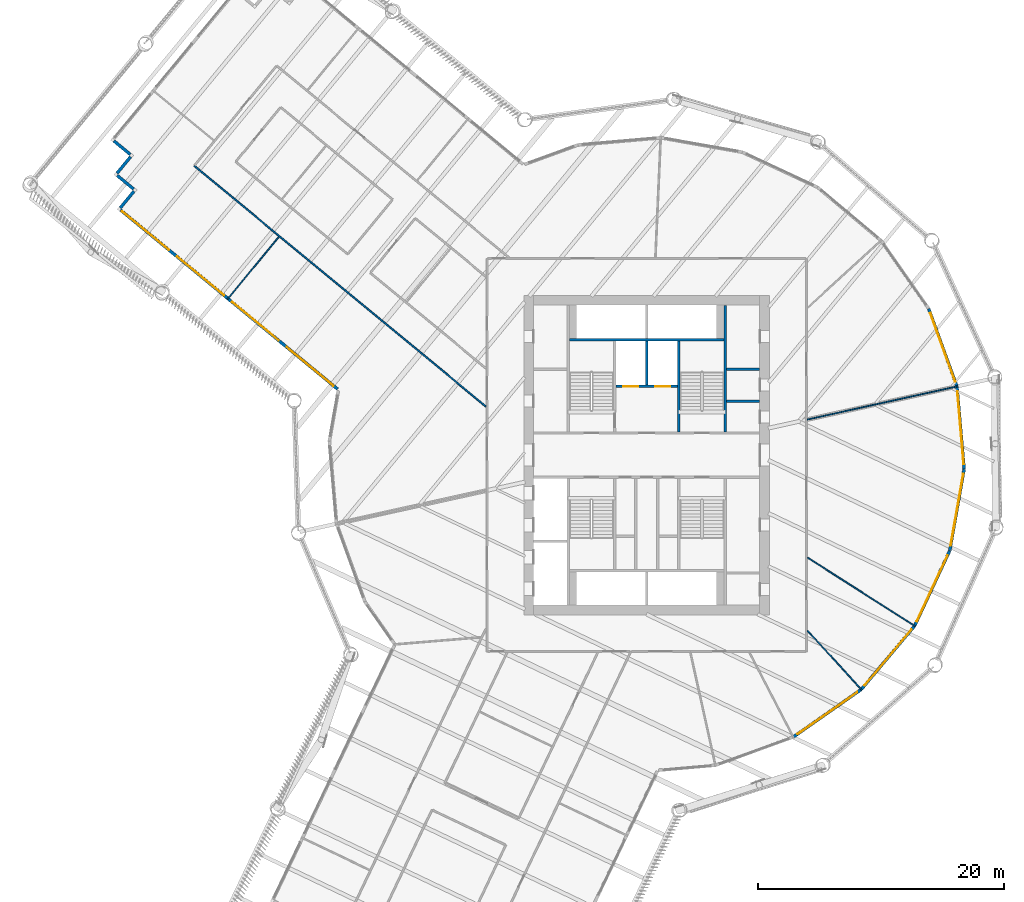
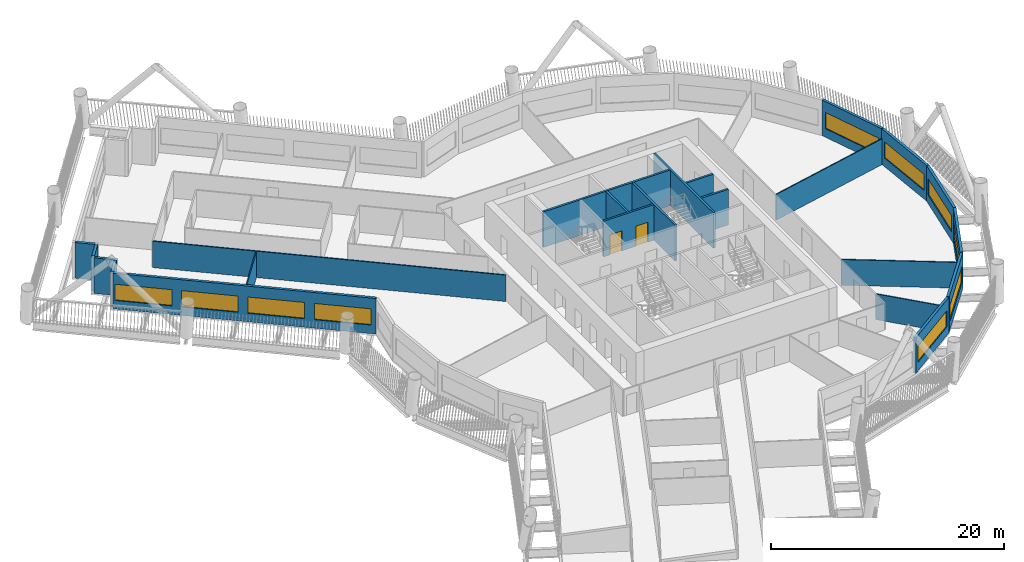
# One storey, part 6 of 22: 23 walls, 10 windows, 2 doors, 12 openings.
"""IFC4 building model written with IfcOpenShell, lengths in metres."""

from ifc_helpers import new_model, si_unit, direction, frame, frame_2d, origin, place, context, subcontext, project, spatial, rectangle, extrude, material, layer, layer_set, type_object, element, fill, save


model = new_model("IFC4")

# Units and contexts
model_context = context("Model", 3, precision=1e-05, world=origin(), true_north=direction((0.0, 1.0)))
body_context = subcontext(model_context, "Body", "Model", "MODEL_VIEW")
ifc_project = project(units=[si_unit("LENGTHUNIT", "METRE"), si_unit("AREAUNIT", "SQUARE_METRE"), si_unit("VOLUMEUNIT", "CUBIC_METRE"), si_unit("PLANEANGLEUNIT", "RADIAN"), si_unit("MASSUNIT", "GRAM", prefix="KILO")], contexts=[model_context])

# Site, building, storey
site_placement = place(None, origin())
site = spatial("IfcSite", under=ifc_project, at=site_placement, CompositionType="ELEMENT")
building_placement = place(site_placement, origin())
building = spatial("IfcBuilding", under=site, at=building_placement, Name="Tarsis Ring Headquarters", CompositionType="ELEMENT")
storey_placement = place(building_placement, frame((0.0, 0.0, 108.39990234375)))
storey = spatial("IfcBuildingStorey", under=building, at=storey_placement, Name="L24", CompositionType="ELEMENT", Elevation=108.39990234375)

# Walls
ifc_material_1 = material(Name="Blockwork", Category="masonry")
ifc_layer_1 = layer(ifc_material_1, 0.199951171875)
ifc_layer_set_1 = layer_set([ifc_layer_1], Name="Core blockwork wall 200")
wall_type_1 = type_object("IfcWallType", Name="Core blockwork wall 200", PredefinedType="PARTITIONING", material=ifc_layer_set_1)
for number, where, z_axis, x_axis, name in (
    (1, (6.5, 4.39990234375, 0.0), (0.0, 0.0, 1.0), (1.0, 0.0, 0.0), "Core partition ED5"),
    (2, (6.5, 7.0, 0.0), (0.0, 0.0, 1.0), (1.0, 0.0, 0.0), "Core partition ED6"),
):
    element("IfcWall", number, at=place(storey_placement, frame(where, z_axis=z_axis, x_axis=x_axis)), inside=storey, type_object=wall_type_1, Name=name, PredefinedType="PARTITIONING", context=body_context, shape_type="SweptSolid", body=[
        extrude(rectangle(XDim=2.699951171875, YDim=0.199951171875, at=frame_2d((1.35009765625, 0.0))), origin(), (0.0, 0.0, 1.0), 3.739990234375),
    ])
ifc_material_2 = material(Name="Gypsum board on steel studs", Category="steel")
ifc_layer_2 = layer(ifc_material_2, 0.10009765625)
ifc_layer_set_2 = layer_set([ifc_layer_2], Name="FL partition 100 unrated")
wall_type_2 = type_object("IfcWallType", Name="FL partition 100 unrated", PredefinedType="PARTITIONING", material=ifc_layer_set_2)
wall_1_placement = place(storey_placement, frame((13.068359375, 2.892333984375, 0.0), z_axis=(0.0, 0.0, 1.0), x_axis=(0.976368244752, 0.216113513323, 0.0)))
element("IfcWall", 3, at=wall_1_placement, inside=storey, type_object=wall_type_2, Name="Partition PW3", PredefinedType="PARTITIONING", context=body_context, shape_type="SweptSolid", body=[
    extrude(rectangle(XDim=12.563232421875, YDim=0.10009765625, at=frame_2d((6.28173828125, 0.0))), origin(), (0.0, 0.0, 1.0), 2.7001953125),
])
wall_2_placement = place(storey_placement, frame((13.084228515625, -8.342041015625, 0.0), z_axis=(0.0, 0.0, 1.0), x_axis=(0.843205315072, -0.537591663472, 0.0)))
element("IfcWall", 4, at=wall_2_placement, inside=storey, type_object=wall_type_2, Name="Partition PW3", PredefinedType="PARTITIONING", context=body_context, shape_type="SweptSolid", body=[
    extrude(rectangle(XDim=10.4306640625, YDim=0.10009765625, at=frame_2d((5.21533203125, 0.0))), origin(), (0.0, 0.0, 1.0), 2.7001953125),
])
wall_3_placement = place(storey_placement, frame((13.087890625, -14.292724609375, 0.0), z_axis=(0.0, 0.0, 1.0), x_axis=(0.675310458527, -0.737533582018, 0.0)))
element("IfcWall", 5, at=wall_3_placement, inside=storey, type_object=wall_type_2, Name="Partition PW3", PredefinedType="PARTITIONING", context=body_context, shape_type="SweptSolid", body=[
    extrude(rectangle(XDim=6.568115234375, YDim=0.10009765625, at=frame_2d((3.2841796875, 0.0))), origin(), (0.0, 0.0, 1.0), 2.7001953125),
])
wall_4_placement = place(storey_placement, frame((-34.148193359375, 12.678466796875, 0.0), z_axis=(0.0, 0.0, 1.0), x_axis=(0.636326826263, 0.771419581147, 0.0)))
element("IfcWall", 6, at=wall_4_placement, inside=storey, type_object=wall_type_2, Name="Partition PW3", PredefinedType="PARTITIONING", context=body_context, shape_type="SweptSolid", body=[
    extrude(rectangle(XDim=6.599853515625, YDim=0.10009765625, at=frame_2d((3.2998046875, 0.0))), origin(), (0.0, 0.0, 1.0), 2.7001953125),
])
ifc_layer_3 = layer(ifc_material_2, 0.125)
ifc_layer_set_3 = layer_set([ifc_layer_3], Name="FL partition 125 EI 60 H2770")
wall_type_3 = type_object("IfcWallType", Name="FL partition 125 EI 60 H2770", PredefinedType="PARTITIONING", material=ifc_layer_set_3)
wall_5_placement = place(storey_placement, frame((-36.846435546875, 23.55078125, 0.0), z_axis=(0.0, 0.0, 1.0), x_axis=(0.771405191813, -0.636344270064, 0.0)))
element("IfcWall", 7, at=wall_5_placement, inside=storey, type_object=wall_type_3, Name="Partition PW1", PredefinedType="PARTITIONING", context=body_context, shape_type="SweptSolid", body=[
    extrude(rectangle(XDim=30.79296875, YDim=0.125, at=frame_2d((15.396484375, 0.0))), origin(), (0.0, 0.0, 1.0), 2.77001953125),
])

# Wall, openings, windows
ifc_material_3 = material(Name="Terracotta clad insulated panel wall", Category="masonry")
ifc_layer_4 = layer(ifc_material_3, 0.25)
ifc_layer_set_4 = layer_set([ifc_layer_4], Name="Facade wall terracotta panel 250")
wall_type_4 = type_object("IfcWallType", Name="Facade wall terracotta panel 250", PredefinedType="STANDARD", material=ifc_layer_set_4)
wall_6_placement = place(storey_placement, frame((-42.848388671875, 19.952392578125, 0.0), z_axis=(0.0, 0.0, 1.0), x_axis=(0.771407000901, -0.636342077, 0.0)))
wall_6 = element("IfcWall", 8, at=wall_6_placement, inside=storey, type_object=wall_type_4, Name="External wall L24-01", PredefinedType="STANDARD", context=body_context, shape_type="SweptSolid", body=[
    extrude(rectangle(XDim=22.921875, YDim=0.25, at=frame_2d((11.4609375, 0.0))), origin(), (0.0, 0.0, 1.0), 3.739990234375),
])
opening_1_placement = place(wall_6_placement, frame((0.17138671875, 0.0, 0.89990234375)))
opening_1 = element("IfcOpeningElement", 9, at=opening_1_placement, cuts=wall_6, Name="Opening WN05", PredefinedType="OPENING", context=body_context, shape_type="SweptSolid", body=[
    extrude(rectangle(XDim=4.949951171875, YDim=1.699951171875, at=frame_2d((2.47509765625, 0.85009765625))), frame((0.0, 0.135009765625, 0.0), z_axis=(0.0, -1.0, 0.0), x_axis=(1.0, 0.0, 0.0)), (0.0, 0.0, 1.0), 0.27001953125),
])
opening_2_placement = place(wall_6_placement, frame((5.964599609375, 0.0, 0.89990234375)))
opening_2 = element("IfcOpeningElement", 10, at=opening_2_placement, cuts=wall_6, Name="Opening WN05", PredefinedType="OPENING", context=body_context, shape_type="SweptSolid", body=[
    extrude(rectangle(XDim=4.949951171875, YDim=1.699951171875, at=frame_2d((2.47509765625, 0.85009765625))), frame((0.0, 0.135009765625, 0.0), z_axis=(0.0, -1.0, 0.0), x_axis=(1.0, 0.0, 0.0)), (0.0, 0.0, 1.0), 0.27001953125),
])
opening_3_placement = place(wall_6_placement, frame((11.757568359375, 0.0, 0.89990234375)))
opening_3 = element("IfcOpeningElement", 11, at=opening_3_placement, cuts=wall_6, Name="Opening WN05", PredefinedType="OPENING", context=body_context, shape_type="SweptSolid", body=[
    extrude(rectangle(XDim=4.949951171875, YDim=1.699951171875, at=frame_2d((2.47509765625, 0.85009765625))), frame((0.0, 0.135009765625, 0.0), z_axis=(0.0, -1.0, 0.0), x_axis=(1.0, 0.0, 0.0)), (0.0, 0.0, 1.0), 0.27001953125),
])
opening_4_placement = place(wall_6_placement, frame((17.550537109375, 0.0, 0.89990234375)))
opening_4 = element("IfcOpeningElement", 12, at=opening_4_placement, cuts=wall_6, Name="Opening WN05", PredefinedType="OPENING", context=body_context, shape_type="SweptSolid", body=[
    extrude(rectangle(XDim=4.949951171875, YDim=1.699951171875, at=frame_2d((2.47509765625, 0.85009765625))), frame((0.0, 0.135009765625, 0.0), z_axis=(0.0, -1.0, 0.0), x_axis=(1.0, 0.0, 0.0)), (0.0, 0.0, 1.0), 0.27001953125),
])
ifc_material_4 = material(Name="Aluminium framed double glazing", Category="aluminium")
window_type_1 = type_object("IfcWindowType", Name="Facade window 4950 x 1700", PartitioningType="SINGLE_PANEL", PredefinedType="WINDOW", material=ifc_material_4)
window_1_placement = place(opening_1_placement, origin())
window_1 = element("IfcWindow", 13, at=window_1_placement, inside=storey, type_object=window_type_1, Name="Window L24-01.1", OverallHeight=1.699951171875, OverallWidth=4.949951171875, PartitioningType="SINGLE_PANEL", PredefinedType="WINDOW", context=body_context, shape_type="SweptSolid", body=[
    extrude(rectangle(XDim=4.949951171875, YDim=1.699951171875, at=frame_2d((2.47509765625, 0.85009765625))), frame((0.0, 0.030029296875, 0.0), z_axis=(0.0, -1.0, 0.0), x_axis=(1.0, 0.0, 0.0)), (0.0, 0.0, 1.0), 0.06005859375),
])
fill(opening_1, window_1)
window_2_placement = place(opening_2_placement, origin())
window_2 = element("IfcWindow", 14, at=window_2_placement, inside=storey, type_object=window_type_1, Name="Window L24-01.2", OverallHeight=1.699951171875, OverallWidth=4.949951171875, PartitioningType="SINGLE_PANEL", PredefinedType="WINDOW", context=body_context, shape_type="SweptSolid", body=[
    extrude(rectangle(XDim=4.949951171875, YDim=1.699951171875, at=frame_2d((2.47509765625, 0.85009765625))), frame((0.0, 0.030029296875, 0.0), z_axis=(0.0, -1.0, 0.0), x_axis=(1.0, 0.0, 0.0)), (0.0, 0.0, 1.0), 0.06005859375),
])
fill(opening_2, window_2)
window_3_placement = place(opening_3_placement, origin())
window_3 = element("IfcWindow", 15, at=window_3_placement, inside=storey, type_object=window_type_1, Name="Window L24-01.3", OverallHeight=1.699951171875, OverallWidth=4.949951171875, PartitioningType="SINGLE_PANEL", PredefinedType="WINDOW", context=body_context, shape_type="SweptSolid", body=[
    extrude(rectangle(XDim=4.949951171875, YDim=1.699951171875, at=frame_2d((2.47509765625, 0.85009765625))), frame((0.0, 0.030029296875, 0.0), z_axis=(0.0, -1.0, 0.0), x_axis=(1.0, 0.0, 0.0)), (0.0, 0.0, 1.0), 0.06005859375),
])
fill(opening_3, window_3)
window_4_placement = place(opening_4_placement, origin())
window_4 = element("IfcWindow", 16, at=window_4_placement, inside=storey, type_object=window_type_1, Name="Window L24-01.4", OverallHeight=1.699951171875, OverallWidth=4.949951171875, PartitioningType="SINGLE_PANEL", PredefinedType="WINDOW", context=body_context, shape_type="SweptSolid", body=[
    extrude(rectangle(XDim=4.949951171875, YDim=1.699951171875, at=frame_2d((2.47509765625, 0.85009765625))), frame((0.0, 0.030029296875, 0.0), z_axis=(0.0, -1.0, 0.0), x_axis=(1.0, 0.0, 0.0)), (0.0, 0.0, 1.0), 0.06005859375),
])
fill(opening_4, window_4)

# Wall, opening, window
wall_7_placement = place(storey_placement, frame((11.95263671875, -22.945068359375, 0.0), z_axis=(0.0, 0.0, 1.0), x_axis=(0.819361587743, 0.573277060881, 0.0)))
wall_7 = element("IfcWall", 17, at=wall_7_placement, inside=storey, type_object=wall_type_4, Name="External wall L24-19", PredefinedType="STANDARD", context=body_context, shape_type="SweptSolid", body=[
    extrude(rectangle(XDim=6.721435546875, YDim=0.25, at=frame_2d((3.36083984375, 0.0))), origin(), (0.0, 0.0, 1.0), 3.739990234375),
])
opening_5_placement = place(wall_7_placement, frame((0.3857421875, 0.0, 0.89990234375)))
opening_5 = element("IfcOpeningElement", 18, at=opening_5_placement, cuts=wall_7, Name="Opening WN07", PredefinedType="OPENING", context=body_context, shape_type="SweptSolid", body=[
    extrude(rectangle(XDim=5.949951171875, YDim=1.699951171875, at=frame_2d((2.97509765625, 0.85009765625))), frame((0.0, 0.135009765625, 0.0), z_axis=(0.0, -1.0, 0.0), x_axis=(1.0, 0.0, 0.0)), (0.0, 0.0, 1.0), 0.27001953125),
])
window_type_2 = type_object("IfcWindowType", Name="Facade window 5950 x 1700", PartitioningType="SINGLE_PANEL", PredefinedType="WINDOW", material=ifc_material_4)
window_5_placement = place(opening_5_placement, origin())
window_5 = element("IfcWindow", 19, at=window_5_placement, inside=storey, type_object=window_type_2, Name="Window L24-19.1", OverallHeight=1.699951171875, OverallWidth=5.949951171875, PartitioningType="SINGLE_PANEL", PredefinedType="WINDOW", context=body_context, shape_type="SweptSolid", body=[
    extrude(rectangle(XDim=5.949951171875, YDim=1.699951171875, at=frame_2d((2.97509765625, 0.85009765625))), frame((0.0, 0.030029296875, 0.0), z_axis=(0.0, -1.0, 0.0), x_axis=(1.0, 0.0, 0.0)), (0.0, 0.0, 1.0), 0.06005859375),
])
fill(opening_5, window_5)

wall_8_placement = place(storey_placement, frame((17.484130859375, -19.06982421875, 0.0), z_axis=(0.0, 0.0, 1.0), x_axis=(0.643052374048, 0.765822201448, 0.0)))
wall_8 = element("IfcWall", 20, at=wall_8_placement, inside=storey, type_object=wall_type_4, Name="External wall L24-20", PredefinedType="STANDARD", context=body_context, shape_type="SweptSolid", body=[
    extrude(rectangle(XDim=6.721435546875, YDim=0.25, at=frame_2d((3.36083984375, 0.0))), origin(), (0.0, 0.0, 1.0), 3.739990234375),
])
opening_6_placement = place(wall_8_placement, frame((0.3857421875, 0.0, 0.89990234375)))
opening_6 = element("IfcOpeningElement", 21, at=opening_6_placement, cuts=wall_8, Name="Opening WN07", PredefinedType="OPENING", context=body_context, shape_type="SweptSolid", body=[
    extrude(rectangle(XDim=5.949951171875, YDim=1.699951171875, at=frame_2d((2.97509765625, 0.85009765625))), frame((0.0, 0.135009765625, 0.0), z_axis=(0.0, -1.0, 0.0), x_axis=(1.0, 0.0, 0.0)), (0.0, 0.0, 1.0), 0.27001953125),
])
window_6_placement = place(opening_6_placement, origin())
window_6 = element("IfcWindow", 22, at=window_6_placement, inside=storey, type_object=window_type_2, Name="Window L24-20.1", OverallHeight=1.699951171875, OverallWidth=5.949951171875, PartitioningType="SINGLE_PANEL", PredefinedType="WINDOW", context=body_context, shape_type="SweptSolid", body=[
    extrude(rectangle(XDim=5.949951171875, YDim=1.699951171875, at=frame_2d((2.97509765625, 0.85009765625))), frame((0.0, 0.030029296875, 0.0), z_axis=(0.0, -1.0, 0.0), x_axis=(1.0, 0.0, 0.0)), (0.0, 0.0, 1.0), 0.06005859375),
])
fill(opening_6, window_6)

wall_9_placement = place(storey_placement, frame((21.823974609375, -13.894775390625, 0.0), z_axis=(0.0, 0.0, 1.0), x_axis=(0.42293318706, 0.906160868325, 0.0)))
wall_9 = element("IfcWall", 23, at=wall_9_placement, inside=storey, type_object=wall_type_4, Name="External wall L24-21", PredefinedType="STANDARD", context=body_context, shape_type="SweptSolid", body=[
    extrude(rectangle(XDim=6.7216796875, YDim=0.25, at=frame_2d((3.36083984375, 0.0))), origin(), (0.0, 0.0, 1.0), 3.739990234375),
])
opening_7_placement = place(wall_9_placement, frame((0.3857421875, 0.0, 0.89990234375)))
opening_7 = element("IfcOpeningElement", 24, at=opening_7_placement, cuts=wall_9, Name="Opening WN07", PredefinedType="OPENING", context=body_context, shape_type="SweptSolid", body=[
    extrude(rectangle(XDim=5.949951171875, YDim=1.699951171875, at=frame_2d((2.97509765625, 0.85009765625))), frame((0.0, 0.135009765625, 0.0), z_axis=(0.0, -1.0, 0.0), x_axis=(1.0, 0.0, 0.0)), (0.0, 0.0, 1.0), 0.27001953125),
])
window_7_placement = place(opening_7_placement, origin())
window_7 = element("IfcWindow", 25, at=window_7_placement, inside=storey, type_object=window_type_2, Name="Window L24-21.1", OverallHeight=1.699951171875, OverallWidth=5.949951171875, PartitioningType="SINGLE_PANEL", PredefinedType="WINDOW", context=body_context, shape_type="SweptSolid", body=[
    extrude(rectangle(XDim=5.949951171875, YDim=1.699951171875, at=frame_2d((2.97509765625, 0.85009765625))), frame((0.0, 0.030029296875, 0.0), z_axis=(0.0, -1.0, 0.0), x_axis=(1.0, 0.0, 0.0)), (0.0, 0.0, 1.0), 0.06005859375),
])
fill(opening_7, window_7)

wall_10_placement = place(storey_placement, frame((24.676513671875, -7.77294921875, 0.0), z_axis=(0.0, 0.0, 1.0), x_axis=(0.173980101637, 0.984749168182, 0.0)))
wall_10 = element("IfcWall", 26, at=wall_10_placement, inside=storey, type_object=wall_type_4, Name="External wall L24-22", PredefinedType="STANDARD", context=body_context, shape_type="SweptSolid", body=[
    extrude(rectangle(XDim=6.7216796875, YDim=0.25, at=frame_2d((3.36083984375, 0.0))), origin(), (0.0, 0.0, 1.0), 3.739990234375),
])
opening_8_placement = place(wall_10_placement, frame((0.3857421875, 0.0, 0.89990234375)))
opening_8 = element("IfcOpeningElement", 27, at=opening_8_placement, cuts=wall_10, Name="Opening WN07", PredefinedType="OPENING", context=body_context, shape_type="SweptSolid", body=[
    extrude(rectangle(XDim=5.949951171875, YDim=1.699951171875, at=frame_2d((2.97509765625, 0.85009765625))), frame((0.0, 0.135009765625, 0.0), z_axis=(0.0, -1.0, 0.0), x_axis=(1.0, 0.0, 0.0)), (0.0, 0.0, 1.0), 0.27001953125),
])
window_8_placement = place(opening_8_placement, origin())
window_8 = element("IfcWindow", 28, at=window_8_placement, inside=storey, type_object=window_type_2, Name="Window L24-22.1", OverallHeight=1.699951171875, OverallWidth=5.949951171875, PartitioningType="SINGLE_PANEL", PredefinedType="WINDOW", context=body_context, shape_type="SweptSolid", body=[
    extrude(rectangle(XDim=5.949951171875, YDim=1.699951171875, at=frame_2d((2.97509765625, 0.85009765625))), frame((0.0, 0.030029296875, 0.0), z_axis=(0.0, -1.0, 0.0), x_axis=(1.0, 0.0, 0.0)), (0.0, 0.0, 1.0), 0.06005859375),
])
fill(opening_8, window_8)

wall_11_placement = place(storey_placement, frame((25.847412109375, -1.121337890625, 0.0), z_axis=(0.0, 0.0, 1.0), x_axis=(-0.086808292028, 0.996225035037, 0.0)))
wall_11 = element("IfcWall", 29, at=wall_11_placement, inside=storey, type_object=wall_type_4, Name="External wall L24-23", PredefinedType="STANDARD", context=body_context, shape_type="SweptSolid", body=[
    extrude(rectangle(XDim=6.7216796875, YDim=0.25, at=frame_2d((3.36083984375, 0.0))), origin(), (0.0, 0.0, 1.0), 3.739990234375),
])
opening_9_placement = place(wall_11_placement, frame((0.3857421875, 0.0, 0.89990234375)))
opening_9 = element("IfcOpeningElement", 30, at=opening_9_placement, cuts=wall_11, Name="Opening WN07", PredefinedType="OPENING", context=body_context, shape_type="SweptSolid", body=[
    extrude(rectangle(XDim=5.949951171875, YDim=1.699951171875, at=frame_2d((2.97509765625, 0.85009765625))), frame((0.0, 0.135009765625, 0.0), z_axis=(0.0, -1.0, 0.0), x_axis=(1.0, 0.0, 0.0)), (0.0, 0.0, 1.0), 0.27001953125),
])
window_9_placement = place(opening_9_placement, origin())
window_9 = element("IfcWindow", 31, at=window_9_placement, inside=storey, type_object=window_type_2, Name="Window L24-23.1", OverallHeight=1.699951171875, OverallWidth=5.949951171875, PartitioningType="SINGLE_PANEL", PredefinedType="WINDOW", context=body_context, shape_type="SweptSolid", body=[
    extrude(rectangle(XDim=5.949951171875, YDim=1.699951171875, at=frame_2d((2.97509765625, 0.85009765625))), frame((0.0, 0.030029296875, 0.0), z_axis=(0.0, -1.0, 0.0), x_axis=(1.0, 0.0, 0.0)), (0.0, 0.0, 1.0), 0.06005859375),
])
fill(opening_9, window_9)

wall_12_placement = place(storey_placement, frame((25.2568359375, 5.606689453125, 0.0), z_axis=(0.0, 0.0, 1.0), x_axis=(-0.341675986817, 0.939817812149, 0.0)))
wall_12 = element("IfcWall", 32, at=wall_12_placement, inside=storey, type_object=wall_type_4, Name="External wall L24-24", PredefinedType="STANDARD", context=body_context, shape_type="SweptSolid", body=[
    extrude(rectangle(XDim=6.7216796875, YDim=0.25, at=frame_2d((3.36083984375, 0.0))), origin(), (0.0, 0.0, 1.0), 3.739990234375),
])
opening_10_placement = place(wall_12_placement, frame((0.3857421875, 0.0, 0.89990234375)))
opening_10 = element("IfcOpeningElement", 33, at=opening_10_placement, cuts=wall_12, Name="Opening WN07", PredefinedType="OPENING", context=body_context, shape_type="SweptSolid", body=[
    extrude(rectangle(XDim=5.949951171875, YDim=1.699951171875, at=frame_2d((2.97509765625, 0.85009765625))), frame((0.0, 0.135009765625, 0.0), z_axis=(0.0, -1.0, 0.0), x_axis=(1.0, 0.0, 0.0)), (0.0, 0.0, 1.0), 0.27001953125),
])
window_10_placement = place(opening_10_placement, origin())
window_10 = element("IfcWindow", 34, at=window_10_placement, inside=storey, type_object=window_type_2, Name="Window L24-24.1", OverallHeight=1.699951171875, OverallWidth=5.949951171875, PartitioningType="SINGLE_PANEL", PredefinedType="WINDOW", context=body_context, shape_type="SweptSolid", body=[
    extrude(rectangle(XDim=5.949951171875, YDim=1.699951171875, at=frame_2d((2.97509765625, 0.85009765625))), frame((0.0, 0.030029296875, 0.0), z_axis=(0.0, -1.0, 0.0), x_axis=(1.0, 0.0, 0.0)), (0.0, 0.0, 1.0), 0.06005859375),
])
fill(opening_10, window_10)

# Walls
wall_13_placement = place(storey_placement, frame((-43.388427734375, 25.58349609375, 0.0), z_axis=(0.0, 0.0, 1.0), x_axis=(0.771402385336, -0.636347672187, 0.0)))
element("IfcWall", 35, at=wall_13_placement, inside=storey, type_object=wall_type_4, Name="External wall L24-37", PredefinedType="STANDARD", context=body_context, shape_type="SweptSolid", body=[
    extrude(rectangle(XDim=1.749755859375, YDim=0.25, at=frame_2d((0.875, 0.0))), origin(), (0.0, 0.0, 1.0), 3.739990234375),
])
for number, where, z_axis, x_axis, name in (
    (36, (-42.021728515625, 24.2939453125, 0.0), (0.0, 0.0, 1.0), (-0.636279189784, -0.771458872946, 0.0), "External wall L24-38"),
    (37, (-43.118408203125, 22.76806640625, 0.0), (0.0, 0.0, 1.0), (0.771333899685, -0.636430683733, 0.0), "External wall L24-39"),
):
    element("IfcWall", number, at=place(storey_placement, frame(where, z_axis=z_axis, x_axis=x_axis)), inside=storey, type_object=wall_type_4, Name=name, PredefinedType="STANDARD", context=body_context, shape_type="SweptSolid", body=[
        extrude(rectangle(XDim=1.75, YDim=0.25, at=frame_2d((0.875, 0.0))), origin(), (0.0, 0.0, 1.0), 3.739990234375),
    ])
wall_14_placement = place(storey_placement, frame((-41.75146484375, 21.478515625, 0.0), z_axis=(0.0, 0.0, 1.0), x_axis=(-0.636362204556, -0.771390397018, 0.0)))
element("IfcWall", 38, at=wall_14_placement, inside=storey, type_object=wall_type_4, Name="External wall L24-40", PredefinedType="STANDARD", context=body_context, shape_type="SweptSolid", body=[
    extrude(rectangle(XDim=1.750244140625, YDim=0.25, at=frame_2d((0.875, 0.0))), origin(), (0.0, 0.0, 1.0), 3.739990234375),
])
ifc_material_5 = material(Name="Concrete C32/40", Category="concrete")
ifc_layer_5 = layer(ifc_material_5, 0.199951171875)
ifc_layer_set_5 = layer_set([ifc_layer_5], Name="Shaft wall 200 C32/40")
wall_type_5 = type_object("IfcWallType", Name="Shaft wall 200 C32/40", PredefinedType="SOLIDWALL", material=ifc_layer_set_5)
wall_15_placement = place(storey_placement, frame((6.39990234375, 1.89990234375, 0.0), z_axis=(0.0, 0.0, 1.0), x_axis=(0.0, 1.0, 0.0)))
element("IfcWall", 39, at=wall_15_placement, inside=storey, type_object=wall_type_5, Name="Core shaft wall EB2", PredefinedType="SOLIDWALL", context=body_context, shape_type="SweptSolid", body=[
    extrude(rectangle(XDim=10.300048828125, YDim=0.199951171875, at=frame_2d((5.14990234375, 0.0))), origin(), (0.0, 0.0, 1.0), 3.739990234375),
])
wall_16_placement = place(storey_placement, frame((-6.300048828125, 9.39990234375, 0.0), z_axis=(0.0, 0.0, 1.0), x_axis=(1.0, 0.0, 0.0)))
element("IfcWall", 40, at=wall_16_placement, inside=storey, type_object=wall_type_5, Name="Core shaft wall NB", PredefinedType="SOLIDWALL", context=body_context, shape_type="SweptSolid", body=[
    extrude(rectangle(XDim=12.60009765625, YDim=0.199951171875, at=frame_2d((6.300048828125, 0.0))), origin(), (0.0, 0.0, 1.0), 3.739990234375),
])
wall_17_placement = place(storey_placement, frame((2.60009765625, 1.89990234375, 0.0), z_axis=(0.0, 0.0, 1.0), x_axis=(0.0, 1.0, 0.0)))
element("IfcWall", 41, at=wall_17_placement, inside=storey, type_object=wall_type_5, Name="Core shaft wall SW2", PredefinedType="SOLIDWALL", context=body_context, shape_type="SweptSolid", body=[
    extrude(rectangle(XDim=7.400146484375, YDim=0.199951171875, at=frame_2d((3.7001953125, 0.0))), origin(), (0.0, 0.0, 1.0), 3.739990234375),
])

# Wall, openings, doors
wall_18_placement = place(storey_placement, frame((-2.5, 5.60009765625, 0.0), z_axis=(0.0, 0.0, 1.0), x_axis=(1.0, 0.0, 0.0)))
wall_18 = element("IfcWall", 42, at=wall_18_placement, inside=storey, type_object=wall_type_5, Name="Core shaft wall FFN", PredefinedType="SOLIDWALL", context=body_context, shape_type="SweptSolid", body=[
    extrude(rectangle(XDim=5.0, YDim=0.199951171875, at=frame_2d((2.5, 0.0))), origin(), (0.0, 0.0, 1.0), 3.739990234375),
])
opening_11_placement = place(wall_18_placement, frame((0.60009765625, 0.0, 0.0)))
opening_11 = element("IfcOpeningElement", 43, at=opening_11_placement, cuts=wall_18, Name="Opening LDF-1", PredefinedType="OPENING", context=body_context, shape_type="SweptSolid", body=[
    extrude(rectangle(XDim=1.199951171875, YDim=2.10009765625, at=frame_2d((0.60009765625, 1.050048828125))), frame((0.0, 0.10986328125, 0.0), z_axis=(0.0, -1.0, 0.0), x_axis=(1.0, 0.0, 0.0)), (0.0, 0.0, 1.0), 0.219970703125),
])
opening_12_placement = place(wall_18_placement, frame((3.199951171875, 0.0, 0.0)))
opening_12 = element("IfcOpeningElement", 44, at=opening_12_placement, cuts=wall_18, Name="Opening LDF-2", PredefinedType="OPENING", context=body_context, shape_type="SweptSolid", body=[
    extrude(rectangle(XDim=1.199951171875, YDim=2.10009765625, at=frame_2d((0.60009765625, 1.050048828125))), frame((0.0, 0.10986328125, 0.0), z_axis=(0.0, -1.0, 0.0), x_axis=(1.0, 0.0, 0.0)), (0.0, 0.0, 1.0), 0.219970703125),
])
ifc_material_6 = material(Name="Steel S355", Category="steel")
door_type = type_object("IfcDoorType", Name="Firefighting landing door 1200x2100", OperationType="SLIDING_TO_LEFT", PredefinedType="DOOR", material=ifc_material_6)
door_1_placement = place(opening_11_placement, origin())
door_1 = element("IfcDoor", 45, at=door_1_placement, inside=storey, type_object=door_type, Name="Landing door FF1 L24", OperationType="SLIDING_TO_LEFT", OverallHeight=2.10009765625, OverallWidth=1.199951171875, PredefinedType="DOOR", context=body_context, shape_type="SweptSolid", body=[
    extrude(rectangle(XDim=1.199951171875, YDim=2.10009765625, at=frame_2d((0.60009765625, 1.050048828125))), frame((0.0, 0.02490234375, 0.0), z_axis=(0.0, -1.0, 0.0), x_axis=(1.0, 0.0, 0.0)), (0.0, 0.0, 1.0), 0.050048828125),
])
fill(opening_11, door_1)
door_2_placement = place(opening_12_placement, origin())
door_2 = element("IfcDoor", 46, at=door_2_placement, inside=storey, type_object=door_type, Name="Landing door FF2 L24", OperationType="SLIDING_TO_LEFT", OverallHeight=2.10009765625, OverallWidth=1.199951171875, PredefinedType="DOOR", context=body_context, shape_type="SweptSolid", body=[
    extrude(rectangle(XDim=1.199951171875, YDim=2.10009765625, at=frame_2d((0.60009765625, 1.050048828125))), frame((0.0, 0.02490234375, 0.0), z_axis=(0.0, -1.0, 0.0), x_axis=(1.0, 0.0, 0.0)), (0.0, 0.0, 1.0), 0.050048828125),
])
fill(opening_12, door_2)

# Wall
wall_19_placement = place(storey_placement, frame((0.0, 5.699951171875, 0.0), z_axis=(0.0, 0.0, 1.0), x_axis=(0.0, 1.0, 0.0)))
element("IfcWall", 47, at=wall_19_placement, inside=storey, type_object=wall_type_5, Name="Core shaft wall FFD", PredefinedType="SOLIDWALL", context=body_context, shape_type="SweptSolid", body=[
    extrude(rectangle(XDim=3.60009765625, YDim=0.199951171875, at=frame_2d((1.800048828125, 0.0))), origin(), (0.0, 0.0, 1.0), 3.739990234375),
])

save(model, "model.ifc")
